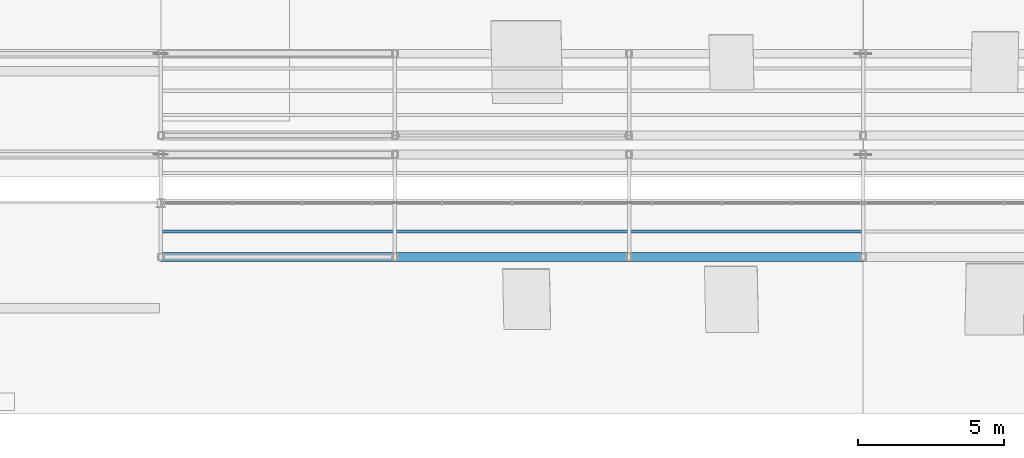
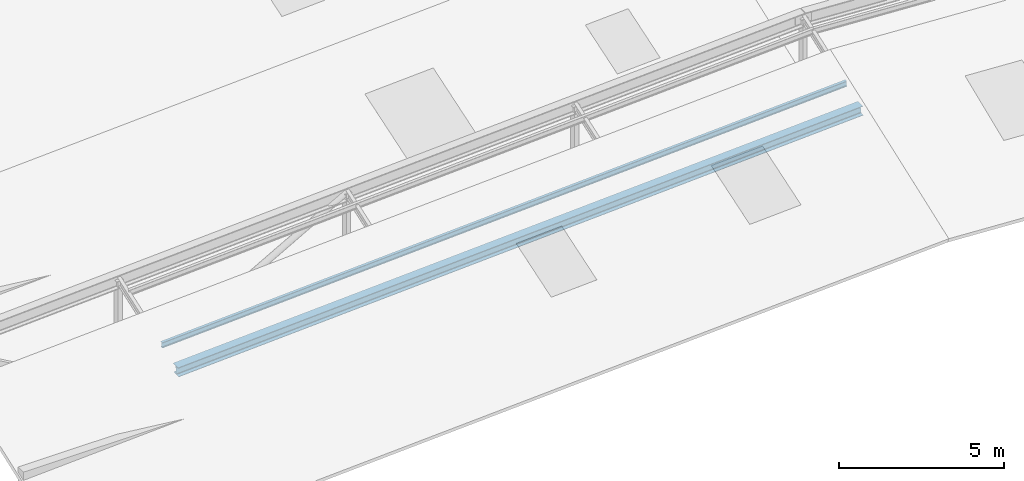
# One storey, part 5 of 141: 2 members.
"""IFC4 building model written with IfcOpenShell, lengths in metres."""

from ifc_helpers import new_model, si_unit, direction, frame, origin, origin_2d, place, context, subcontext, project, spatial, i_section, extrude, material, material_profile, profile_set, type_object, element, save


model = new_model("IFC4")

# Units and contexts
model_context = context("Model", 3, precision=1e-05, world=origin(), true_north=direction((0.0, 1.0)))
body_context = subcontext(model_context, "Body", "Model", "MODEL_VIEW")
ifc_project = project(units=[si_unit("LENGTHUNIT", "METRE"), si_unit("AREAUNIT", "SQUARE_METRE"), si_unit("VOLUMEUNIT", "CUBIC_METRE"), si_unit("PLANEANGLEUNIT", "RADIAN"), si_unit("MASSUNIT", "GRAM", prefix="KILO")], contexts=[model_context])

# Site, building, storey
site_placement = place(None, origin())
site = spatial("IfcSite", under=ifc_project, at=site_placement, CompositionType="ELEMENT")
building_placement = place(site_placement, origin())
building = spatial("IfcBuilding", under=site, at=building_placement, Name="Sundkrona Museum", CompositionType="ELEMENT")
storey_placement = place(building_placement, frame((0.0, 0.0, 34.0)))
storey = spatial("IfcBuildingStorey", under=building, at=storey_placement, Name="RF", CompositionType="ELEMENT", Elevation=34.0)

# Members
ifc_material = material(Name="Steel S355J2", Category="steel")
ifc_material_profile_1 = material_profile(ifc_material, i_section(OverallWidth=0.10009765625, OverallDepth=0.199951171875, WebThickness=0.005615234375, FlangeThickness=0.008544921875, FilletRadius=0.011962890625, at=origin_2d()), Name="IPE 200")
ifc_profile_set_1 = profile_set([ifc_material_profile_1], Name="Steel S355J2")
member_type_1 = type_object("IfcMemberType", Name="PR-IPE200", PredefinedType="PURLIN", material=ifc_profile_set_1)
member_1_placement = place(storey_placement, frame((120.0, 1.22509765625, 2.997802734375), z_axis=(0.998539934522, 0.0, 0.054018507607), x_axis=(0.0, 1.0, 0.0)))
element("IfcMember", 1, at=member_1_placement, inside=storey, type_object=member_type_1, Name="RFS-1 Sawtooth Blade 1W Roof Purlin 1", PredefinedType="PURLIN", context=body_context, shape_type="SweptSolid", body=[
    extrude(i_section(OverallWidth=0.10009765625, OverallDepth=0.199951171875, WebThickness=0.005615234375, FlangeThickness=0.008544921875, FilletRadius=0.011962890625, at=origin_2d()), origin(), (0.0, 0.0, 1.0), 24.03515625),
])
ifc_material_profile_2 = material_profile(ifc_material, i_section(OverallWidth=0.300048828125, OverallDepth=0.35009765625, WebThickness=0.010009765625, FlangeThickness=0.017578125, FilletRadius=0.027099609375, at=origin_2d()), Name="HEA 360")
ifc_profile_set_2 = profile_set([ifc_material_profile_2], Name="Steel S355J2")
member_type_2 = type_object("IfcMemberType", Name="TC-HEA360", PredefinedType="CHORD", material=ifc_profile_set_2)
member_2_placement = place(storey_placement, frame((120.0, 0.35009765625, 2.5908203125), z_axis=(0.998539934522, 0.0, 0.054018507607), x_axis=(0.0, 1.0, 0.0)))
element("IfcMember", 2, at=member_2_placement, inside=storey, type_object=member_type_2, Name="RFS-1 Sawtooth Valley Truss 1 West Top Chord", PredefinedType="CHORD", context=body_context, shape_type="SweptSolid", body=[
    extrude(i_section(OverallWidth=0.300048828125, OverallDepth=0.35009765625, WebThickness=0.010009765625, FlangeThickness=0.017578125, FilletRadius=0.027099609375, at=origin_2d()), origin(), (0.0, 0.0, 1.0), 24.03515625),
])

save(model, "model.ifc")
